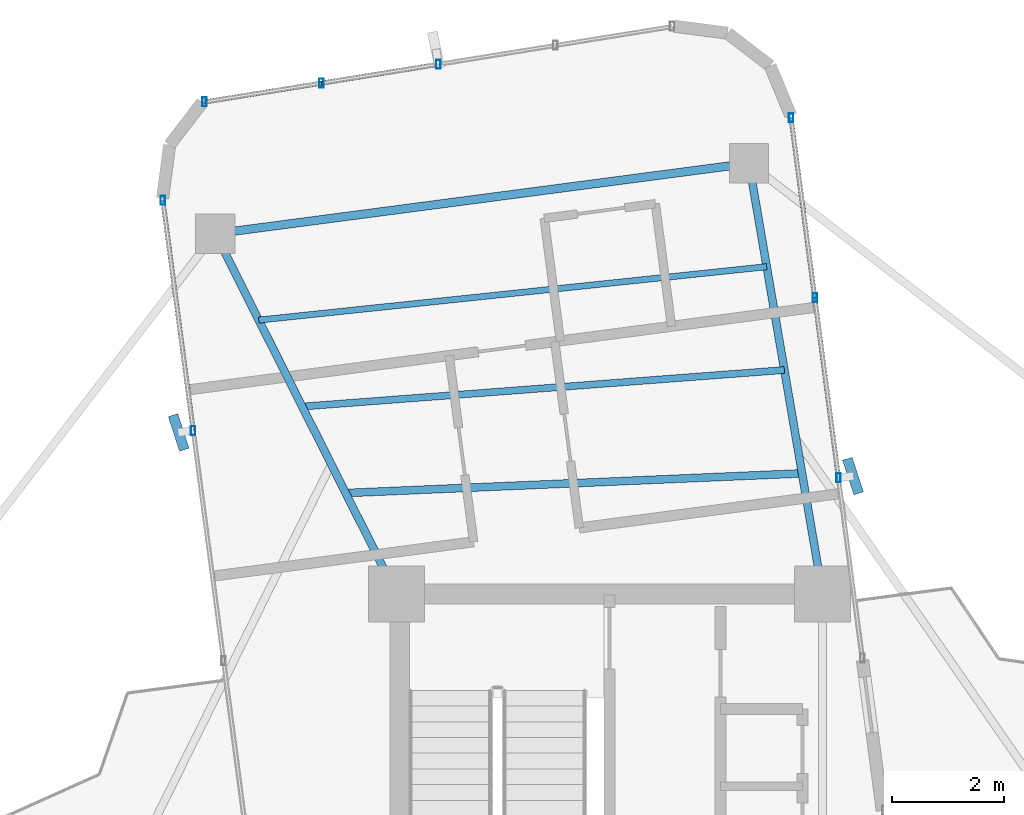
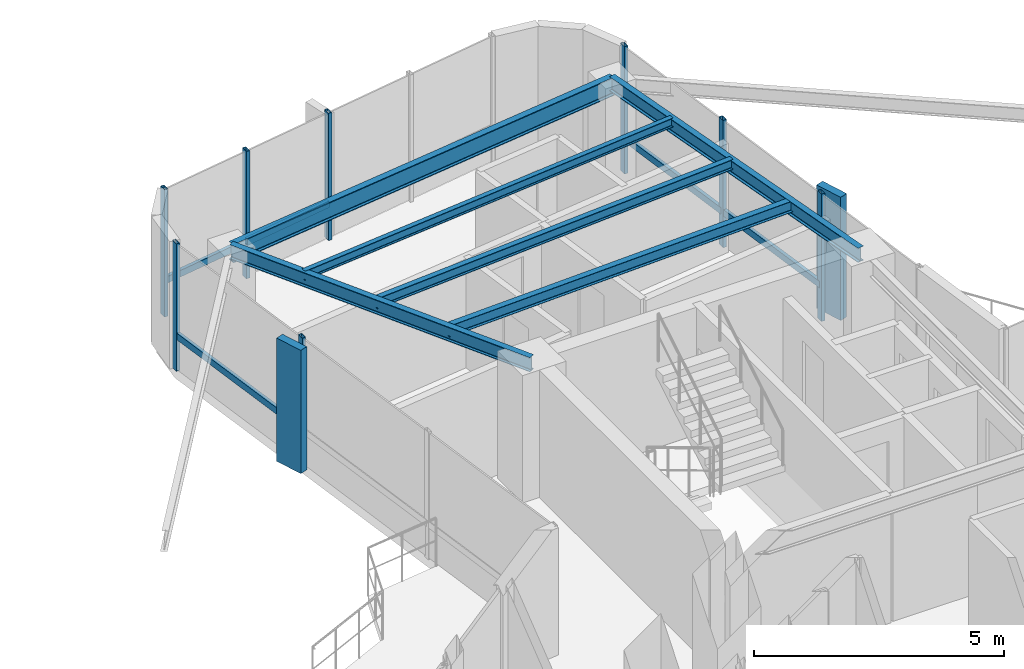
# One storey, part 13 of 21: 15 members, 6 beams, 3 elements without a shape of their own.
"""IFC4 building model written with IfcOpenShell, lengths in metres."""

from ifc_helpers import new_model, si_unit, direction, frame, origin, origin_2d, place, context, subcontext, project, spatial, rectangle, hollow_rectangle, i_section, extrude, source, transform, mapped, material, material_profile, profile_set, type_object, element, aggregate, save


model = new_model("IFC4")

# Units and contexts
model_context = context("Model", 3, precision=1e-05, world=origin(), true_north=direction((0.0, 1.0)))
body_context = subcontext(model_context, "Body", "Model", "MODEL_VIEW")
ifc_project = project(units=[si_unit("LENGTHUNIT", "METRE"), si_unit("AREAUNIT", "SQUARE_METRE"), si_unit("VOLUMEUNIT", "CUBIC_METRE"), si_unit("PLANEANGLEUNIT", "RADIAN"), si_unit("MASSUNIT", "GRAM", prefix="KILO")], contexts=[model_context])

# Site, building, storey
site_placement = place(None, origin())
site = spatial("IfcSite", under=ifc_project, at=site_placement, CompositionType="ELEMENT")
building_placement = place(site_placement, origin())
building = spatial("IfcBuilding", under=site, at=building_placement, Name="Sahyath Konkavel Grand Hotel", CompositionType="ELEMENT")
storey_placement = place(building_placement, frame((0.0, 0.0, 213.199951171875)))
storey = spatial("IfcBuildingStorey", under=building, at=storey_placement, Name="L59", CompositionType="ELEMENT", Elevation=213.199951171875)

# Beams
ifc_material_1 = material(Name="Steel E350", Category="steel")
ifc_material_profile_1 = material_profile(ifc_material_1, i_section(OverallWidth=0.139892578125, OverallDepth=0.35009765625, WebThickness=0.008056640625, FlangeThickness=0.01416015625, FilletRadius=0.013916015625, at=origin_2d()), Name="ISMB 350")
ifc_profile_set_1 = profile_set([ifc_material_profile_1], Name="Steel E350")
beam_type_1 = type_object("IfcBeamType", Name="BM-ISMB350", PredefinedType="BEAM", material=ifc_profile_set_1)
shared_shape_1 = source(origin(), body_context, "Body", "SweptSolid", [
    extrude(i_section(OverallWidth=0.139892578125, OverallDepth=0.35009765625, WebThickness=0.008056640625, FlangeThickness=0.01416015625, FilletRadius=0.013916015625, at=origin_2d()), origin(), (0.0, 0.0, 1.0), 7.7890625),
])
beam_1_placement = place(storey_placement, frame((3.800048828125, 10.199951171875, 2.93505859375), z_axis=(-0.168473997649, 0.985706098244, 0.0), x_axis=(-0.985706098244, -0.168473997649, 0.0)))
element("IfcBeam", 1, at=beam_1_placement, inside=storey, type_object=beam_type_1, Name="L59 Cruciform Radial Girder NA", PredefinedType="BEAM", context=body_context, shape_type="MappedRepresentation", body=[
    mapped(shared_shape_1, transform((0.0, 0.0, 0.0), scale=1.0)),
])
shared_shape_2 = source(origin(), body_context, "Body", "SweptSolid", [
    extrude(i_section(OverallWidth=0.139892578125, OverallDepth=0.35009765625, WebThickness=0.008056640625, FlangeThickness=0.01416015625, FilletRadius=0.013916015625, at=origin_2d()), origin(), (0.0, 0.0, 1.0), 7.19091796875),
])
beam_2_placement = place(storey_placement, frame((-3.800048828125, 10.199951171875, 2.93505859375), z_axis=(-0.4491817134, 0.893440422383, 0.0), x_axis=(-0.893440422383, -0.4491817134, 0.0)))
element("IfcBeam", 2, at=beam_2_placement, inside=storey, type_object=beam_type_1, Name="L59 Cruciform Radial Girder NB", PredefinedType="BEAM", context=body_context, shape_type="MappedRepresentation", body=[
    mapped(shared_shape_2, transform((0.0, 0.0, 0.0), scale=1.0)),
])
ifc_material_profile_2 = material_profile(ifc_material_1, i_section(OverallWidth=0.14990234375, OverallDepth=0.449951171875, WebThickness=0.009521484375, FlangeThickness=0.017333984375, FilletRadius=0.014892578125, at=origin_2d()), Name="ISMB 450")
ifc_profile_set_2 = profile_set([ifc_material_profile_2], Name="Steel E350")
beam_type_2 = type_object("IfcBeamType", Name="BM-ISMB450", PredefinedType="BEAM", material=ifc_profile_set_2)
shared_shape_3 = source(origin(), body_context, "Body", "SweptSolid", [
    extrude(i_section(OverallWidth=0.14990234375, OverallDepth=0.449951171875, WebThickness=0.009521484375, FlangeThickness=0.017333984375, FilletRadius=0.014892578125, at=origin_2d()), origin(), (0.0, 0.0, 1.0), 9.599853515625),
])
beam_3_placement = place(storey_placement, frame((2.48779296875, 17.877685546875, 2.885009765625), z_axis=(-0.991443125639, -0.130539375757, 0.0), x_axis=(0.130539375757, -0.991443125639, 0.0)))
element("IfcBeam", 3, at=beam_3_placement, inside=storey, type_object=beam_type_2, Name="L59 Wing Tip Edge Beam N", PredefinedType="BEAM", context=body_context, shape_type="MappedRepresentation", body=[
    mapped(shared_shape_3, transform((0.0, 0.0, 0.0), scale=1.0)),
])
ifc_material_profile_3 = material_profile(ifc_material_1, i_section(OverallWidth=0.139892578125, OverallDepth=0.27490234375, WebThickness=0.00634765625, FlangeThickness=0.0087890625, FilletRadius=0.012939453125, at=origin_2d()), Name="ISLB 275")
ifc_profile_set_3 = profile_set([ifc_material_profile_3], Name="Steel E350")
beam_type_3 = type_object("IfcBeamType", Name="BM-ISLB275", PredefinedType="BEAM", material=ifc_profile_set_3)
shared_shape_4 = source(origin(), body_context, "Body", "SweptSolid", [
    extrude(i_section(OverallWidth=0.139892578125, OverallDepth=0.27490234375, WebThickness=0.00634765625, FlangeThickness=0.0087890625, FilletRadius=0.012939453125, at=origin_2d()), origin(), (0.0, 0.0, 1.0), 8.14453125),
])
beam_4_placement = place(storey_placement, frame((3.4326171875, 12.349853515625, 2.97265625), z_axis=(-0.999070525707, -0.043105506195, 0.0), x_axis=(0.043105506195, -0.999070525707, 0.0)))
element("IfcBeam", 4, at=beam_4_placement, inside=storey, type_object=beam_type_3, Name="L59 Secondary Floor Beam N-1", PredefinedType="BEAM", context=body_context, shape_type="MappedRepresentation", body=[
    mapped(shared_shape_4, transform((0.0, 0.0, 0.0), scale=1.0)),
])
ifc_material_profile_4 = material_profile(ifc_material_1, i_section(OverallWidth=0.125, OverallDepth=0.25, WebThickness=0.0068359375, FlangeThickness=0.012451171875, FilletRadius=0.012939453125, at=origin_2d()), Name="ISMB 250")
ifc_profile_set_4 = profile_set([ifc_material_profile_4], Name="Steel E350")
beam_type_4 = type_object("IfcBeamType", Name="BM-ISMB250", PredefinedType="BEAM", material=ifc_profile_set_4)
shared_shape_5 = source(origin(), body_context, "Body", "SweptSolid", [
    extrude(i_section(OverallWidth=0.125, OverallDepth=0.25, WebThickness=0.0068359375, FlangeThickness=0.012451171875, FilletRadius=0.012939453125, at=origin_2d()), origin(), (0.0, 0.0, 1.0), 8.6220703125),
])
beam_5_placement = place(storey_placement, frame((3.11767578125, 14.1923828125, 2.985107421875), z_axis=(-0.997140134449, -0.075574812405, 0.0), x_axis=(0.075574812405, -0.997140134449, 0.0)))
element("IfcBeam", 5, at=beam_5_placement, inside=storey, type_object=beam_type_4, Name="L59 Secondary Floor Beam N-2", PredefinedType="BEAM", context=body_context, shape_type="MappedRepresentation", body=[
    mapped(shared_shape_5, transform((0.0, 0.0, 0.0), scale=1.0)),
])
ifc_material_profile_5 = material_profile(ifc_material_1, i_section(OverallWidth=0.110107421875, OverallDepth=0.22509765625, WebThickness=0.006591796875, FlangeThickness=0.01171875, FilletRadius=0.011962890625, at=origin_2d()), Name="ISMB 225")
ifc_profile_set_5 = profile_set([ifc_material_profile_5], Name="Steel E350")
beam_type_5 = type_object("IfcBeamType", Name="BM-ISMB225", PredefinedType="BEAM", material=ifc_profile_set_5)
shared_shape_6 = source(origin(), body_context, "Body", "SweptSolid", [
    extrude(i_section(OverallWidth=0.110107421875, OverallDepth=0.22509765625, WebThickness=0.006591796875, FlangeThickness=0.01171875, FilletRadius=0.011962890625, at=origin_2d()), origin(), (0.0, 0.0, 1.0), 9.107666015625),
])
beam_6_placement = place(storey_placement, frame((2.802734375, 16.03515625, 2.99755859375), z_axis=(-0.994517344132, -0.10457175632, 0.0), x_axis=(0.10457175632, -0.994517344132, 0.0)))
element("IfcBeam", 6, at=beam_6_placement, inside=storey, type_object=beam_type_5, Name="L59 Secondary Floor Beam N-3", PredefinedType="BEAM", context=body_context, shape_type="MappedRepresentation", body=[
    mapped(shared_shape_6, transform((0.0, 0.0, 0.0), scale=1.0)),
])

# Curtain wall, member
ifc_material_2 = material(Name="Anodised Bronze Aluminium & Low-E Glazing", Category="aluminium")
curtain_wall_type = type_object("IfcCurtainWallType", Name="CW-ZONE4", PredefinedType="NOTDEFINED", material=ifc_material_2)
curtain_wall_1_placement = place(storey_placement, origin())
curtain_wall_1 = element("IfcCurtainWall", 7, at=curtain_wall_1_placement, inside=storey, type_object=curtain_wall_type, Name="L59 Unitised Curtain Wall F8", PredefinedType="NOTDEFINED")
ifc_material_3 = material(Name="Warm Buff Sandstone Cladding on Concrete C50/60", Category="masonry")
ifc_material_profile_6 = material_profile(ifc_material_3, rectangle(XDim=0.179931640625, YDim=0.64990234375, at=origin_2d()), Name="FIN 180x650")
ifc_profile_set_6 = profile_set([ifc_material_profile_6], Name="Warm Buff Sandstone Cladding on Concrete C50/60")
member_type_1 = type_object("IfcMemberType", Name="FIN-SANDSTONE-650", PredefinedType="MULLION", material=ifc_profile_set_6)
shared_shape_7 = source(origin(), body_context, "Body", "SweptSolid", [
    extrude(rectangle(XDim=0.179931640625, YDim=0.64990234375, at=origin_2d()), origin(), (0.0, 0.0, 1.0), 3.010009765625),
])
member_1_placement = place(storey_placement, frame((4.341552734375, 12.302001953125, 0.050048828125), z_axis=(0.0, 0.0, 1.0), x_axis=(0.951272019071, 0.30835295642, 0.0)))
member_1 = element("IfcMember", 8, at=member_1_placement, type_object=member_type_1, Name="L59 Sandstone Vertical Solar Fin FIN F8-1", PredefinedType="MULLION", context=body_context, shape_type="MappedRepresentation", body=[
    mapped(shared_shape_7, transform((0.0, 0.0, 0.0), scale=1.0)),
])

curtain_wall_2_placement = place(storey_placement, origin())
curtain_wall_2 = element("IfcCurtainWall", 9, at=curtain_wall_2_placement, inside=storey, type_object=curtain_wall_type, Name="L59 Unitised Curtain Wall F15", PredefinedType="NOTDEFINED")
member_2_placement = place(storey_placement, frame((-7.682861328125, 13.0791015625, 0.050048828125), z_axis=(0.0, 0.0, 1.0), x_axis=(0.951272019071, 0.30835295642, 0.0)))
member_2 = element("IfcMember", 10, at=member_2_placement, type_object=member_type_1, Name="L59 Sandstone Vertical Solar Fin FIN F15-1", PredefinedType="MULLION", context=body_context, shape_type="MappedRepresentation", body=[
    mapped(shared_shape_7, transform((0.0, 0.0, 0.0), scale=1.0)),
])

# Member
ifc_material_4 = material(Name="Anodised Bronze Aluminium", Category="aluminium")
ifc_material_profile_7 = material_profile(ifc_material_4, hollow_rectangle(XDim=0.080078125, YDim=0.159912109375, WallThickness=0.006103515625, at=origin_2d()), Name="RHS 160x80x6")
ifc_profile_set_7 = profile_set([ifc_material_profile_7], Name="Anodised Bronze Aluminium")
member_type_2 = type_object("IfcMemberType", Name="CW-MUL-160", PredefinedType="MULLION", material=ifc_profile_set_7)
shared_shape_8 = source(origin(), body_context, "Body", "SweptSolid", [
    extrude(hollow_rectangle(XDim=0.080078125, YDim=0.159912109375, WallThickness=0.006103515625, at=origin_2d()), origin(), (0.0, 0.0, 1.0), 3.110107421875),
])
member_3_placement = place(storey_placement, frame((4.083740234375, 12.26806640625, 0.0), z_axis=(0.0, 0.0, 1.0), x_axis=(1.0, 0.0, 0.0)))
member_3 = element("IfcMember", 11, at=member_3_placement, type_object=member_type_2, Name="L59 Curtain Wall Mullion F8-1", PredefinedType="MULLION", context=body_context, shape_type="MappedRepresentation", body=[
    mapped(shared_shape_8, transform((0.0, 0.0, 0.0), scale=1.0)),
])

member_4_placement = place(storey_placement, frame((3.66064453125, 15.480224609375, 0.0), z_axis=(0.0, 0.0, 1.0), x_axis=(1.0, 0.0, 0.0)))
member_4 = element("IfcMember", 12, at=member_4_placement, type_object=member_type_2, Name="L59 Curtain Wall Mullion F8-2", PredefinedType="MULLION", context=body_context, shape_type="MappedRepresentation", body=[
    mapped(shared_shape_8, transform((0.0, 0.0, 0.0), scale=1.0)),
])

member_5_placement = place(storey_placement, frame((3.23779296875, 18.6923828125, 0.0), z_axis=(0.0, 0.0, 1.0), x_axis=(1.0, 0.0, 0.0)))
member_5 = element("IfcMember", 13, at=member_5_placement, type_object=member_type_2, Name="L59 Curtain Wall Mullion F8-3", PredefinedType="MULLION", context=body_context, shape_type="MappedRepresentation", body=[
    mapped(shared_shape_8, transform((0.0, 0.0, 0.0), scale=1.0)),
])

# Curtain wall, members
curtain_wall_3_placement = place(storey_placement, origin())
curtain_wall_3 = element("IfcCurtainWall", 14, at=curtain_wall_3_placement, inside=storey, type_object=curtain_wall_type, Name="L59 Unitised Curtain Wall F12", PredefinedType="NOTDEFINED")
member_6_placement = place(storey_placement, frame((-3.052734375, 19.6455078125, 0.0), z_axis=(0.0, 0.0, 1.0), x_axis=(1.0, 0.0, 0.0)))
member_6 = element("IfcMember", 15, at=member_6_placement, type_object=member_type_2, Name="L59 Curtain Wall Mullion F12-2", PredefinedType="MULLION", context=body_context, shape_type="MappedRepresentation", body=[
    mapped(shared_shape_8, transform((0.0, 0.0, 0.0), scale=1.0)),
])
member_7_placement = place(storey_placement, frame((-5.137939453125, 19.30908203125, 0.0), z_axis=(0.0, 0.0, 1.0), x_axis=(1.0, 0.0, 0.0)))
member_7 = element("IfcMember", 16, at=member_7_placement, type_object=member_type_2, Name="L59 Curtain Wall Mullion F12-3", PredefinedType="MULLION", context=body_context, shape_type="MappedRepresentation", body=[
    mapped(shared_shape_8, transform((0.0, 0.0, 0.0), scale=1.0)),
])
member_8_placement = place(storey_placement, frame((-7.22314453125, 18.972900390625, 0.0), z_axis=(0.0, 0.0, 1.0), x_axis=(1.0, 0.0, 0.0)))
member_8 = element("IfcMember", 17, at=member_8_placement, type_object=member_type_2, Name="L59 Curtain Wall Mullion F12-4", PredefinedType="MULLION", context=body_context, shape_type="MappedRepresentation", body=[
    mapped(shared_shape_8, transform((0.0, 0.0, 0.0), scale=1.0)),
])

# Member
member_9_placement = place(storey_placement, frame((-7.965576171875, 17.217529296875, 0.0), z_axis=(0.0, 0.0, 1.0), x_axis=(1.0, 0.0, 0.0)))
member_9 = element("IfcMember", 18, at=member_9_placement, type_object=member_type_2, Name="L59 Curtain Wall Mullion F15-0", PredefinedType="MULLION", context=body_context, shape_type="MappedRepresentation", body=[
    mapped(shared_shape_8, transform((0.0, 0.0, 0.0), scale=1.0)),
])

member_10_placement = place(storey_placement, frame((-7.425048828125, 13.113037109375, 0.0), z_axis=(0.0, 0.0, 1.0), x_axis=(1.0, 0.0, 0.0)))
member_10 = element("IfcMember", 19, at=member_10_placement, type_object=member_type_2, Name="L59 Curtain Wall Mullion F15-1", PredefinedType="MULLION", context=body_context, shape_type="MappedRepresentation", body=[
    mapped(shared_shape_8, transform((0.0, 0.0, 0.0), scale=1.0)),
])

ifc_material_profile_8 = material_profile(ifc_material_4, hollow_rectangle(XDim=0.080078125, YDim=0.159912109375, WallThickness=0.006103515625, at=origin_2d()), Name="RHS 160x80x6")
ifc_profile_set_8 = profile_set([ifc_material_profile_8], Name="Anodised Bronze Aluminium")
member_type_3 = type_object("IfcMemberType", Name="CW-TRN-160", PredefinedType="USERDEFINED", material=ifc_profile_set_8)
shared_shape_9 = source(origin(), body_context, "Body", "SweptSolid", [
    extrude(hollow_rectangle(XDim=0.080078125, YDim=0.159912109375, WallThickness=0.006103515625, at=origin_2d()), origin(), (0.0, 0.0, 1.0), 3.239990234375),
])
member_11_placement = place(storey_placement, frame((4.083740234375, 12.26806640625, 0.85009765625), z_axis=(-0.130589010341, 0.991436589187, 0.0), x_axis=(-0.991436589187, -0.130589010341, 0.0)))
member_11 = element("IfcMember", 20, at=member_11_placement, type_object=member_type_3, Name="L59 Curtain Wall Transom F8-1-spandrel", ObjectType="TRANSOM", PredefinedType="USERDEFINED", context=body_context, shape_type="MappedRepresentation", body=[
    mapped(shared_shape_9, transform((0.0, 0.0, 0.0), scale=1.0)),
])

member_12_placement = place(storey_placement, frame((3.66064453125, 15.480224609375, 0.85009765625), z_axis=(-0.130514939997, 0.991446342692, 0.0), x_axis=(-0.991446342692, -0.130514939997, 0.0)))
member_12 = element("IfcMember", 21, at=member_12_placement, type_object=member_type_3, Name="L59 Curtain Wall Transom F8-2-spandrel", ObjectType="TRANSOM", PredefinedType="USERDEFINED", context=body_context, shape_type="MappedRepresentation", body=[
    mapped(shared_shape_9, transform((0.0, 0.0, 0.0), scale=1.0)),
])

aggregate(curtain_wall_1, [member_3, member_1, member_4, member_5, member_11, member_12])

shared_shape_10 = source(origin(), body_context, "Body", "SweptSolid", [
    extrude(hollow_rectangle(XDim=0.080078125, YDim=0.159912109375, WallThickness=0.006103515625, at=origin_2d()), origin(), (0.0, 0.0, 1.0), 2.112060546875),
])
member_13_placement = place(storey_placement, frame((-3.052734375, 19.6455078125, 0.85009765625), z_axis=(-0.987233499712, -0.159279681841, 0.0), x_axis=(0.159279681841, -0.987233499712, 0.0)))
member_13 = element("IfcMember", 22, at=member_13_placement, type_object=member_type_3, Name="L59 Curtain Wall Transom F12-2-spandrel", ObjectType="TRANSOM", PredefinedType="USERDEFINED", context=body_context, shape_type="MappedRepresentation", body=[
    mapped(shared_shape_10, transform((0.0, 0.0, 0.0), scale=1.0)),
])

member_14_placement = place(storey_placement, frame((-5.137939453125, 19.30908203125, 0.85009765625), z_axis=(-0.98725166933, -0.159167023612, 0.0), x_axis=(0.159167023612, -0.98725166933, 0.0)))
member_14 = element("IfcMember", 23, at=member_14_placement, type_object=member_type_3, Name="L59 Curtain Wall Transom F12-3-spandrel", ObjectType="TRANSOM", PredefinedType="USERDEFINED", context=body_context, shape_type="MappedRepresentation", body=[
    mapped(shared_shape_10, transform((0.0, 0.0, 0.0), scale=1.0)),
])

aggregate(curtain_wall_3, [member_6, member_7, member_8, member_13, member_14])

shared_shape_11 = source(origin(), body_context, "Body", "SweptSolid", [
    extrude(hollow_rectangle(XDim=0.080078125, YDim=0.159912109375, WallThickness=0.006103515625, at=origin_2d()), origin(), (0.0, 0.0, 1.0), 4.139892578125),
])
member_15_placement = place(storey_placement, frame((-7.965576171875, 17.217529296875, 0.85009765625), z_axis=(0.130564346904, -0.991439837467, 0.0), x_axis=(0.991439837467, 0.130564346904, 0.0)))
member_15 = element("IfcMember", 24, at=member_15_placement, type_object=member_type_3, Name="L59 Curtain Wall Transom F15-0-spandrel", ObjectType="TRANSOM", PredefinedType="USERDEFINED", context=body_context, shape_type="MappedRepresentation", body=[
    mapped(shared_shape_11, transform((0.0, 0.0, 0.0), scale=1.0)),
])

aggregate(curtain_wall_2, [member_9, member_10, member_2, member_15])

save(model, "model.ifc")
